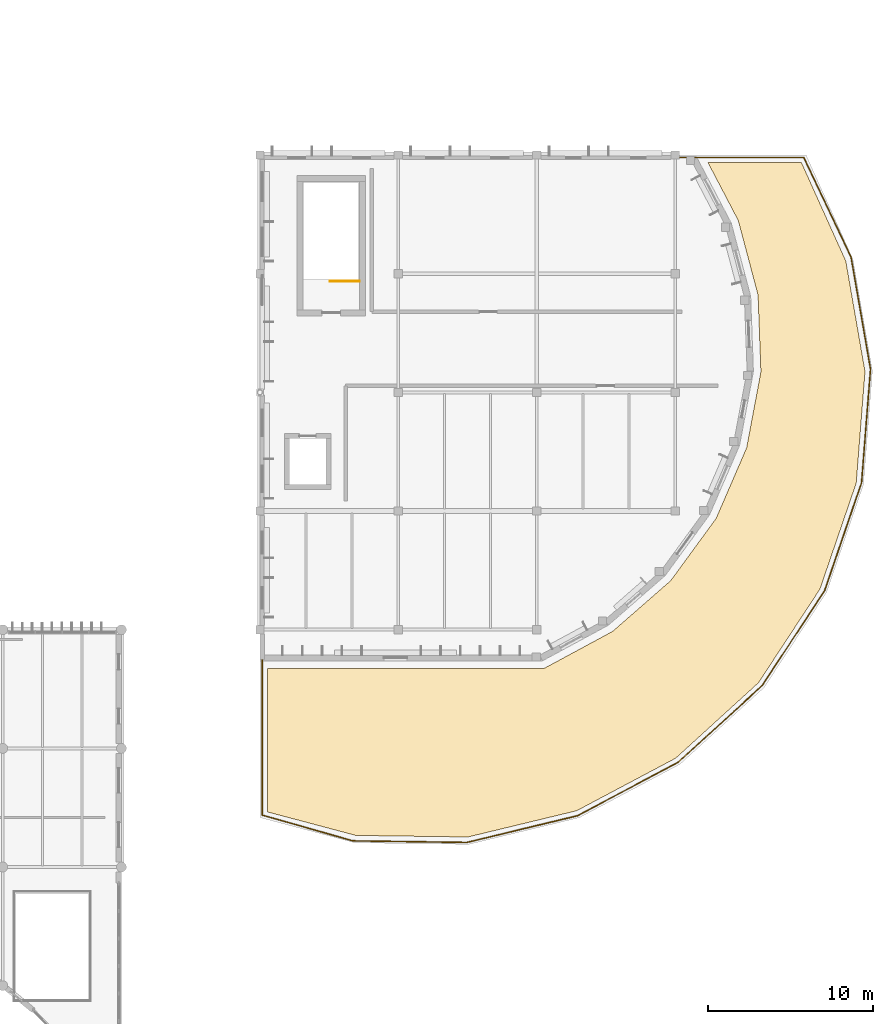
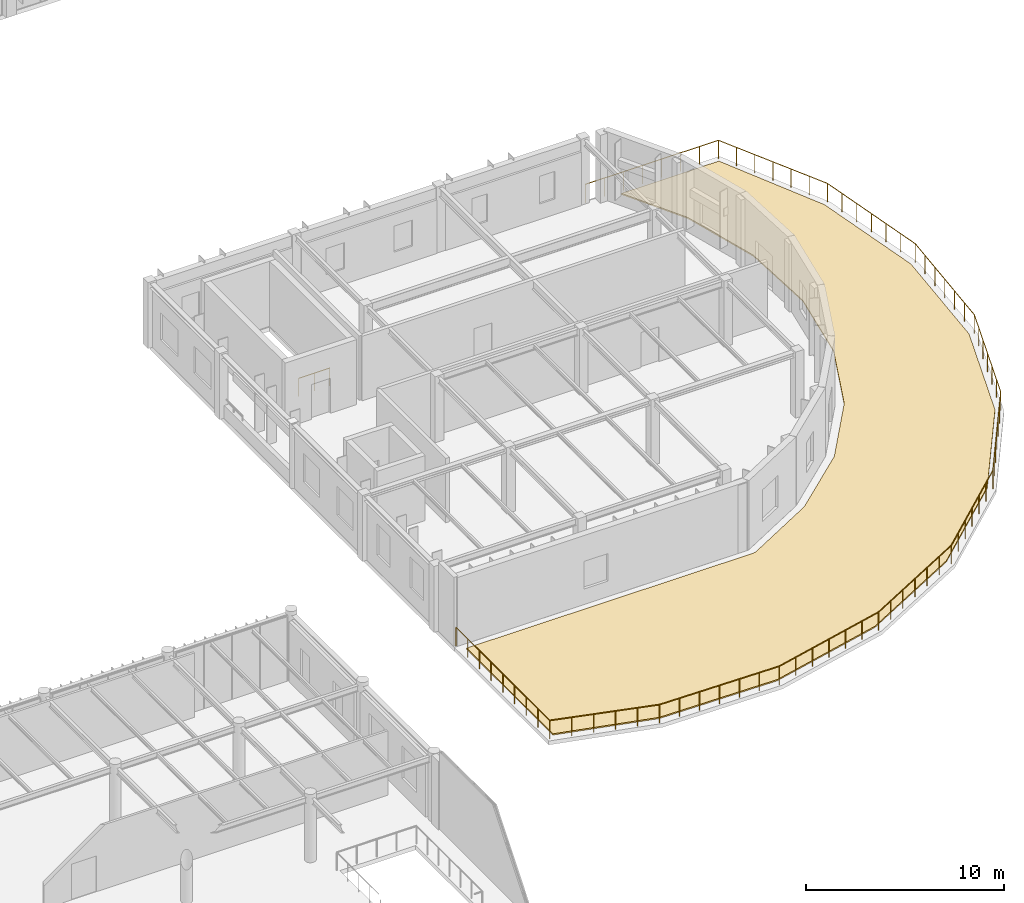
# One storey, part 103 of 104: 2 railings, 1 covering.
"""IFC4 building model written with IfcOpenShell, lengths in metres."""

from ifc_helpers import new_model, si_unit, direction, frame, origin, origin_2d, place, context, subcontext, project, spatial, polyline, circle, outline, extrude, material, layer, layer_set, material_profile, profile_set, type_object, element, save


model = new_model("IFC4")

# Units and contexts
model_context = context("Model", 3, precision=1e-05, world=origin(), true_north=direction((0.0, 1.0)))
body_context = subcontext(model_context, "Body", "Model", "MODEL_VIEW")
ifc_project = project(units=[si_unit("LENGTHUNIT", "METRE"), si_unit("AREAUNIT", "SQUARE_METRE"), si_unit("VOLUMEUNIT", "CUBIC_METRE"), si_unit("PLANEANGLEUNIT", "RADIAN"), si_unit("MASSUNIT", "GRAM", prefix="KILO")], contexts=[model_context])

# Site, building, storey
site_placement = place(None, origin())
site = spatial("IfcSite", under=ifc_project, at=site_placement, CompositionType="ELEMENT")
building_placement = place(site_placement, origin())
building = spatial("IfcBuilding", under=site, at=building_placement, Name="Tazoul Stagehouse", CompositionType="ELEMENT")
storey_placement = place(building_placement, frame((0.0, 0.0, 9.0)))
storey = spatial("IfcBuildingStorey", under=building, at=storey_placement, Name="L02", CompositionType="ELEMENT", Elevation=9.0)

# Railing
ifc_material_1 = material(Name="Brushed Stainless Steel 316L", Category="steel")
ifc_material_profile_1 = material_profile(ifc_material_1, circle(Radius=0.02392578125, at=origin_2d()), Name="SS RAIL D48")
ifc_profile_set_1 = profile_set([ifc_material_profile_1], Name="Brushed Stainless Steel 316L")
railing_type_1 = type_object("IfcRailingType", Name="Architectural Guardrail H1120", PredefinedType="GUARDRAIL", material=ifc_profile_set_1)
railing_1_placement = place(storey_placement, frame((131.449951171875, 51.35009765625, 0.0)))
element("IfcRailing", 1, at=railing_1_placement, inside=storey, type_object=railing_type_1, Name="L02 ST-07 top well guard 1", PredefinedType="GUARDRAIL", context=body_context, shape_type="SweptSolid", body=[
    extrude(circle(Radius=0.02392578125, at=origin_2d()), frame((0.0, 0.0, 1.09619140625), z_axis=(-1.0, 0.0, 0.0), x_axis=(0.0, -1.0, 0.0)), (0.0, 0.0, 1.0), 1.800048828125),
    extrude(circle(Radius=0.02099609375, at=origin_2d()), origin(), (0.0, 0.0, 1.0), 1.072021484375),
    extrude(circle(Radius=0.02099609375, at=origin_2d()), frame((-0.89990234375, 0.0, 0.0)), (0.0, 0.0, 1.0), 1.072021484375),
    extrude(circle(Radius=0.02099609375, at=origin_2d()), frame((-1.800048828125, 0.0, 0.0)), (0.0, 0.0, 1.0), 1.072021484375),
])

# Covering
ifc_material_2 = material(Name="Vegetated Acoustic Extensive Green-Roof Substrate", Category="earth")
ifc_layer = layer(ifc_material_2, 0.080078125, Name="Vegetated Acoustic Extensive Green-Roof Substrate")
ifc_layer_set = layer_set([ifc_layer], Name="Vegetated Acoustic Extensive Green-Roof Substrate")
covering_type = type_object("IfcCoveringType", Name="Irrigated Fescue Forecourt Lawn Turf 80", PredefinedType="FLOORING", material=ifc_layer_set)
covering_placement = place(storey_placement, origin())
element("IfcCovering", 2, at=covering_placement, inside=storey, type_object=covering_type, Name="L02 Curved Studio Drum Planted Roof Garden", PredefinedType="FLOORING", context=body_context, shape_type="SweptSolid", body=[
    extrude(outline(polyline([(125.85009765625, 27.845947265625), (142.517333984375, 27.845947265625), (142.572265625, 27.849365234375), (142.62646484375, 27.859375), (142.627197265625, 27.859619140625), (142.660400390625, 27.869384765625), (142.66064453125, 27.869384765625), (142.719482421875, 27.893798828125), (142.719970703125, 27.89404296875), (142.732666015625, 27.900634765625), (146.7578125, 30.07470703125), (146.757568359375, 30.074951171875), (146.77880859375, 30.0869140625), (146.810302734375, 30.10791015625), (146.840087890625, 30.1318359375), (150.28662109375, 33.140869140625), (150.30859375, 33.16162109375), (150.30908203125, 33.161865234375), (150.309326171875, 33.162109375), (150.3330078125, 33.187744140625), (150.3544921875, 33.215087890625), (153.051513671875, 36.91015625), (153.051513671875, 36.910400390625), (153.0712890625, 36.939208984375), (153.0908203125, 36.974609375), (153.091064453125, 36.97509765625), (153.101806640625, 36.997802734375), (154.916748046875, 41.197021484375), (154.9296875, 41.231201171875), (154.940185546875, 41.266357421875), (154.940185546875, 41.266845703125), (154.945068359375, 41.28759765625), (154.945068359375, 41.2880859375), (154.946044921875, 41.29345703125), (155.78955078125, 45.789794921875), (155.788818359375, 45.789794921875), (155.7939453125, 45.818115234375), (155.79736328125, 45.873046875), (155.79736328125, 45.87353515625), (155.797119140625, 45.89013671875), (155.62744140625, 50.461669921875), (155.626708984375, 50.461669921875), (155.624267578125, 50.50048828125), (155.6142578125, 50.5546875), (155.6142578125, 50.554931640625), (155.612548828125, 50.561279296875), (154.438232421875, 54.982666015625), (154.427734375, 55.016845703125), (154.41455078125, 55.050048828125), (154.4140625, 55.05078125), (154.401611328125, 55.076904296875), (152.583984375, 58.550048828125), (158.2548828125, 58.550048828125), (160.951171875, 52.566650390625), (162.11669921875, 45.87060546875), (161.58251953125, 39.0947265625), (159.381591796875, 32.6640625), (155.65234375, 26.981689453125), (150.628662109375, 22.40380859375), (144.625, 19.21728515625), (138.01806640625, 17.621826171875), (131.220703125, 17.7177734375), (125.85009765625, 19.14599609375), (125.85009765625, 27.845947265625)])), origin(), (0.0, 0.0, 1.0), 0.080078125),
])

# Railing
ifc_material_profile_2 = material_profile(ifc_material_1, circle(Radius=0.027099609375, at=origin_2d()), Name="SS RAIL D54")
ifc_profile_set_2 = profile_set([ifc_material_profile_2], Name="Brushed Stainless Steel 316L")
railing_type_2 = type_object("IfcRailingType", Name="Terrace Acoustic Glass-and-Steel Guard H1150", PredefinedType="GUARDRAIL", material=ifc_profile_set_2)
railing_2_placement = place(storey_placement, frame((125.550048828125, 28.39990234375, 0.0)))
element("IfcRailing", 3, at=railing_2_placement, inside=storey, type_object=railing_type_2, Name="L02 Studio Roof Garden Curved Perimeter Guard GRD-02", PredefinedType="GUARDRAIL", context=body_context, shape_type="SweptSolid", body=[
    extrude(circle(Radius=0.02392578125, at=origin_2d()), frame((0.0, 0.0, 1.1259765625), z_axis=(0.0, -1.0, 0.0), x_axis=(1.0, 0.0, 0.0)), (0.0, 0.0, 1.0), 9.449951171875),
    extrude(circle(Radius=0.02392578125, at=origin_2d()), frame((0.0, -9.449951171875, 1.1259765625), z_axis=(0.961844565298, -0.273596476963, 0.0), x_axis=(0.273596476963, 0.961844565298, 0.0)), (0.0, 0.0, 1.0), 5.70654296875),
    extrude(circle(Radius=0.02392578125, at=origin_2d()), frame((5.48876953125, -11.01123046875, 1.1259765625), z_axis=(0.999900140203, -0.014131865454, 0.0), x_axis=(0.014131865454, 0.999900140203, 0.0)), (0.0, 0.0, 1.0), 6.910400390625),
    extrude(circle(Radius=0.02392578125, at=origin_2d()), frame((12.3984375, -11.10888671875, 1.1259765625), z_axis=(0.972060530269, 0.234730325038, 0.0), x_axis=(-0.234730325038, 0.972060530269, 0.0)), (0.0, 0.0, 1.0), 6.910400390625),
    extrude(circle(Radius=0.02392578125, at=origin_2d()), frame((19.11572265625, -9.48681640625, 1.1259765625), z_axis=(0.883295877985, 0.468815946759, 0.0), x_axis=(-0.468815946759, 0.883295877985, 0.0)), (0.0, 0.0, 1.0), 6.910400390625),
    extrude(circle(Radius=0.02392578125, at=origin_2d()), frame((25.2197265625, -6.2470703125, 1.1259765625), z_axis=(0.739132233342, 0.673560347434, 0.0), x_axis=(-0.673560347434, 0.739132233342, 0.0)), (0.0, 0.0, 1.0), 6.910400390625),
    extrude(circle(Radius=0.02392578125, at=origin_2d()), frame((30.327392578125, -1.592529296875, 1.1259765625), z_axis=(0.548668788702, 0.836039807846, 0.0), x_axis=(-0.836039807846, 0.548668788702, 0.0)), (0.0, 0.0, 1.0), 6.910400390625),
    extrude(circle(Radius=0.02392578125, at=origin_2d()), frame((34.118896484375, 4.184814453125, 1.1259765625), z_axis=(0.323795877985, 0.946126962622, 0.0), x_axis=(-0.946126962622, 0.323795877985, 0.0)), (0.0, 0.0, 1.0), 6.910400390625),
    extrude(circle(Radius=0.02392578125, at=origin_2d()), frame((36.3564453125, 10.722900390625, 1.1259765625), z_axis=(0.078609163402, 0.996905511786, 0.0), x_axis=(-0.996905511786, 0.078609163402, 0.0)), (0.0, 0.0, 1.0), 6.910400390625),
    extrude(circle(Radius=0.02392578125, at=origin_2d()), frame((36.899658203125, 17.61181640625, 1.1259765625), z_axis=(-0.171493255047, 0.98518529398, 0.0), x_axis=(-0.98518529398, -0.171493255047, 0.0)), (0.0, 0.0, 1.0), 6.91015625),
    extrude(circle(Radius=0.02392578125, at=origin_2d()), frame((35.714599609375, 24.419677734375, 1.1259765625), z_axis=(-0.429087396326, 0.903262977385, 0.0), x_axis=(-0.903262977385, -0.429087396326, 0.0)), (0.0, 0.0, 1.0), 6.67626953125),
    extrude(circle(Radius=0.02392578125, at=origin_2d()), frame((32.849853515625, 30.4501953125, 1.1259765625), z_axis=(-1.0, 0.0, 0.0), x_axis=(0.0, -1.0, 0.0)), (0.0, 0.0, 1.0), 7.75),
    extrude(circle(Radius=0.02099609375, at=origin_2d()), origin(), (0.0, 0.0, 1.0), 1.101806640625),
    extrude(circle(Radius=0.02099609375, at=origin_2d()), frame((0.0, -1.18115234375, 0.0)), (0.0, 0.0, 1.0), 1.101806640625),
    extrude(circle(Radius=0.02099609375, at=origin_2d()), frame((0.0, -2.362548828125, 0.0)), (0.0, 0.0, 1.0), 1.101806640625),
    extrude(circle(Radius=0.02099609375, at=origin_2d()), frame((0.0, -3.543701171875, 0.0)), (0.0, 0.0, 1.0), 1.101806640625),
    extrude(circle(Radius=0.02099609375, at=origin_2d()), frame((0.0, -4.72509765625, 0.0)), (0.0, 0.0, 1.0), 1.101806640625),
    extrude(circle(Radius=0.02099609375, at=origin_2d()), frame((0.0, -5.90625, 0.0)), (0.0, 0.0, 1.0), 1.101806640625),
    extrude(circle(Radius=0.02099609375, at=origin_2d()), frame((0.0, -7.08740234375, 0.0)), (0.0, 0.0, 1.0), 1.101806640625),
    extrude(circle(Radius=0.02099609375, at=origin_2d()), frame((0.0, -8.268798828125, 0.0)), (0.0, 0.0, 1.0), 1.101806640625),
    extrude(circle(Radius=0.02099609375, at=origin_2d()), frame((0.0, -9.449951171875, 0.0)), (0.0, 0.0, 1.0), 1.101806640625),
    extrude(circle(Radius=0.02099609375, at=origin_2d()), frame((1.09765625, -9.76220703125, 0.0)), (0.0, 0.0, 1.0), 1.101806640625),
    extrude(circle(Radius=0.02099609375, at=origin_2d()), frame((2.195556640625, -10.074462890625, 0.0)), (0.0, 0.0, 1.0), 1.101806640625),
    extrude(circle(Radius=0.02099609375, at=origin_2d()), frame((3.293212890625, -10.38671875, 0.0)), (0.0, 0.0, 1.0), 1.101806640625),
    extrude(circle(Radius=0.02099609375, at=origin_2d()), frame((4.39111328125, -10.698974609375, 0.0)), (0.0, 0.0, 1.0), 1.101806640625),
    extrude(circle(Radius=0.02099609375, at=origin_2d()), frame((5.48876953125, -11.01123046875, 0.0)), (0.0, 0.0, 1.0), 1.101806640625),
    extrude(circle(Radius=0.02099609375, at=origin_2d()), frame((6.640380859375, -11.027587890625, 0.0)), (0.0, 0.0, 1.0), 1.101806640625),
    extrude(circle(Radius=0.02099609375, at=origin_2d()), frame((7.7919921875, -11.043701171875, 0.0)), (0.0, 0.0, 1.0), 1.101806640625),
    extrude(circle(Radius=0.02099609375, at=origin_2d()), frame((8.943603515625, -11.06005859375, 0.0)), (0.0, 0.0, 1.0), 1.101806640625),
    extrude(circle(Radius=0.02099609375, at=origin_2d()), frame((10.09521484375, -11.076416015625, 0.0)), (0.0, 0.0, 1.0), 1.101806640625),
    extrude(circle(Radius=0.02099609375, at=origin_2d()), frame((11.246826171875, -11.092529296875, 0.0)), (0.0, 0.0, 1.0), 1.101806640625),
    extrude(circle(Radius=0.02099609375, at=origin_2d()), frame((12.3984375, -11.10888671875, 0.0)), (0.0, 0.0, 1.0), 1.101806640625),
    extrude(circle(Radius=0.02099609375, at=origin_2d()), frame((13.51806640625, -10.838623046875, 0.0)), (0.0, 0.0, 1.0), 1.101806640625),
    extrude(circle(Radius=0.02099609375, at=origin_2d()), frame((14.637451171875, -10.568115234375, 0.0)), (0.0, 0.0, 1.0), 1.101806640625),
    extrude(circle(Radius=0.02099609375, at=origin_2d()), frame((15.757080078125, -10.2978515625, 0.0)), (0.0, 0.0, 1.0), 1.101806640625),
    extrude(circle(Radius=0.02099609375, at=origin_2d()), frame((16.876708984375, -10.027587890625, 0.0)), (0.0, 0.0, 1.0), 1.101806640625),
    extrude(circle(Radius=0.02099609375, at=origin_2d()), frame((17.99609375, -9.757080078125, 0.0)), (0.0, 0.0, 1.0), 1.101806640625),
    extrude(circle(Radius=0.02099609375, at=origin_2d()), frame((19.11572265625, -9.48681640625, 0.0)), (0.0, 0.0, 1.0), 1.101806640625),
    extrude(circle(Radius=0.02099609375, at=origin_2d()), frame((20.133056640625, -8.94677734375, 0.0)), (0.0, 0.0, 1.0), 1.101806640625),
    extrude(circle(Radius=0.02099609375, at=origin_2d()), frame((21.150390625, -8.406982421875, 0.0)), (0.0, 0.0, 1.0), 1.101806640625),
    extrude(circle(Radius=0.02099609375, at=origin_2d()), frame((22.167724609375, -7.866943359375, 0.0)), (0.0, 0.0, 1.0), 1.101806640625),
    extrude(circle(Radius=0.02099609375, at=origin_2d()), frame((23.18505859375, -7.326904296875, 0.0)), (0.0, 0.0, 1.0), 1.101806640625),
    extrude(circle(Radius=0.02099609375, at=origin_2d()), frame((24.202392578125, -6.787109375, 0.0)), (0.0, 0.0, 1.0), 1.101806640625),
    extrude(circle(Radius=0.02099609375, at=origin_2d()), frame((25.2197265625, -6.2470703125, 0.0)), (0.0, 0.0, 1.0), 1.101806640625),
    extrude(circle(Radius=0.02099609375, at=origin_2d()), frame((26.071044921875, -5.47119140625, 0.0)), (0.0, 0.0, 1.0), 1.101806640625),
    extrude(circle(Radius=0.02099609375, at=origin_2d()), frame((26.92236328125, -4.695556640625, 0.0)), (0.0, 0.0, 1.0), 1.101806640625),
    extrude(circle(Radius=0.02099609375, at=origin_2d()), frame((27.7734375, -3.919921875, 0.0)), (0.0, 0.0, 1.0), 1.101806640625),
    extrude(circle(Radius=0.02099609375, at=origin_2d()), frame((28.624755859375, -3.14404296875, 0.0)), (0.0, 0.0, 1.0), 1.101806640625),
    extrude(circle(Radius=0.02099609375, at=origin_2d()), frame((29.47607421875, -2.3681640625, 0.0)), (0.0, 0.0, 1.0), 1.101806640625),
    extrude(circle(Radius=0.02099609375, at=origin_2d()), frame((30.327392578125, -1.592529296875, 0.0)), (0.0, 0.0, 1.0), 1.101806640625),
    extrude(circle(Radius=0.02099609375, at=origin_2d()), frame((30.959228515625, -0.629638671875, 0.0)), (0.0, 0.0, 1.0), 1.101806640625),
    extrude(circle(Radius=0.02099609375, at=origin_2d()), frame((31.59130859375, 0.333251953125, 0.0)), (0.0, 0.0, 1.0), 1.101806640625),
    extrude(circle(Radius=0.02099609375, at=origin_2d()), frame((32.22314453125, 1.296142578125, 0.0)), (0.0, 0.0, 1.0), 1.101806640625),
    extrude(circle(Radius=0.02099609375, at=origin_2d()), frame((32.85498046875, 2.259033203125, 0.0)), (0.0, 0.0, 1.0), 1.101806640625),
    extrude(circle(Radius=0.02099609375, at=origin_2d()), frame((33.487060546875, 3.221923828125, 0.0)), (0.0, 0.0, 1.0), 1.101806640625),
    extrude(circle(Radius=0.02099609375, at=origin_2d()), frame((34.118896484375, 4.184814453125, 0.0)), (0.0, 0.0, 1.0), 1.101806640625),
    extrude(circle(Radius=0.02099609375, at=origin_2d()), frame((34.49169921875, 5.2744140625, 0.0)), (0.0, 0.0, 1.0), 1.101806640625),
    extrude(circle(Radius=0.02099609375, at=origin_2d()), frame((34.86474609375, 6.3642578125, 0.0)), (0.0, 0.0, 1.0), 1.101806640625),
    extrude(circle(Radius=0.02099609375, at=origin_2d()), frame((35.23779296875, 7.453857421875, 0.0)), (0.0, 0.0, 1.0), 1.101806640625),
    extrude(circle(Radius=0.02099609375, at=origin_2d()), frame((35.610595703125, 8.54345703125, 0.0)), (0.0, 0.0, 1.0), 1.101806640625),
    extrude(circle(Radius=0.02099609375, at=origin_2d()), frame((35.9833984375, 9.63330078125, 0.0)), (0.0, 0.0, 1.0), 1.101806640625),
    extrude(circle(Radius=0.02099609375, at=origin_2d()), frame((36.3564453125, 10.722900390625, 0.0)), (0.0, 0.0, 1.0), 1.101806640625),
    extrude(circle(Radius=0.02099609375, at=origin_2d()), frame((36.447021484375, 11.87109375, 0.0)), (0.0, 0.0, 1.0), 1.101806640625),
    extrude(circle(Radius=0.02099609375, at=origin_2d()), frame((36.53759765625, 13.019287109375, 0.0)), (0.0, 0.0, 1.0), 1.101806640625),
    extrude(circle(Radius=0.02099609375, at=origin_2d()), frame((36.6279296875, 14.16748046875, 0.0)), (0.0, 0.0, 1.0), 1.101806640625),
    extrude(circle(Radius=0.02099609375, at=origin_2d()), frame((36.718505859375, 15.3154296875, 0.0)), (0.0, 0.0, 1.0), 1.101806640625),
    extrude(circle(Radius=0.02099609375, at=origin_2d()), frame((36.80908203125, 16.463623046875, 0.0)), (0.0, 0.0, 1.0), 1.101806640625),
    extrude(circle(Radius=0.02099609375, at=origin_2d()), frame((36.899658203125, 17.61181640625, 0.0)), (0.0, 0.0, 1.0), 1.101806640625),
    extrude(circle(Radius=0.02099609375, at=origin_2d()), frame((36.7021484375, 18.74658203125, 0.0)), (0.0, 0.0, 1.0), 1.101806640625),
    extrude(circle(Radius=0.02099609375, at=origin_2d()), frame((36.504638671875, 19.881103515625, 0.0)), (0.0, 0.0, 1.0), 1.101806640625),
    extrude(circle(Radius=0.02099609375, at=origin_2d()), frame((36.30712890625, 21.015625, 0.0)), (0.0, 0.0, 1.0), 1.101806640625),
    extrude(circle(Radius=0.02099609375, at=origin_2d()), frame((36.109619140625, 22.150390625, 0.0)), (0.0, 0.0, 1.0), 1.101806640625),
    extrude(circle(Radius=0.02099609375, at=origin_2d()), frame((35.912109375, 23.28515625, 0.0)), (0.0, 0.0, 1.0), 1.101806640625),
    extrude(circle(Radius=0.02099609375, at=origin_2d()), frame((35.714599609375, 24.419677734375, 0.0)), (0.0, 0.0, 1.0), 1.101806640625),
    extrude(circle(Radius=0.02099609375, at=origin_2d()), frame((35.237060546875, 25.4248046875, 0.0)), (0.0, 0.0, 1.0), 1.101806640625),
    extrude(circle(Radius=0.02099609375, at=origin_2d()), frame((34.759765625, 26.429931640625, 0.0)), (0.0, 0.0, 1.0), 1.101806640625),
    extrude(circle(Radius=0.02099609375, at=origin_2d()), frame((34.2822265625, 27.43505859375, 0.0)), (0.0, 0.0, 1.0), 1.101806640625),
    extrude(circle(Radius=0.02099609375, at=origin_2d()), frame((33.8046875, 28.43994140625, 0.0)), (0.0, 0.0, 1.0), 1.101806640625),
    extrude(circle(Radius=0.02099609375, at=origin_2d()), frame((33.327392578125, 29.445068359375, 0.0)), (0.0, 0.0, 1.0), 1.101806640625),
    extrude(circle(Radius=0.02099609375, at=origin_2d()), frame((32.849853515625, 30.4501953125, 0.0)), (0.0, 0.0, 1.0), 1.101806640625),
    extrude(circle(Radius=0.02099609375, at=origin_2d()), frame((31.74267578125, 30.4501953125, 0.0)), (0.0, 0.0, 1.0), 1.101806640625),
    extrude(circle(Radius=0.02099609375, at=origin_2d()), frame((30.635498046875, 30.4501953125, 0.0)), (0.0, 0.0, 1.0), 1.101806640625),
    extrude(circle(Radius=0.02099609375, at=origin_2d()), frame((29.5283203125, 30.4501953125, 0.0)), (0.0, 0.0, 1.0), 1.101806640625),
    extrude(circle(Radius=0.02099609375, at=origin_2d()), frame((28.42138671875, 30.4501953125, 0.0)), (0.0, 0.0, 1.0), 1.101806640625),
    extrude(circle(Radius=0.02099609375, at=origin_2d()), frame((27.314208984375, 30.4501953125, 0.0)), (0.0, 0.0, 1.0), 1.101806640625),
    extrude(circle(Radius=0.02099609375, at=origin_2d()), frame((26.20703125, 30.4501953125, 0.0)), (0.0, 0.0, 1.0), 1.101806640625),
    extrude(circle(Radius=0.02099609375, at=origin_2d()), frame((25.099853515625, 30.4501953125, 0.0)), (0.0, 0.0, 1.0), 1.101806640625),
])

save(model, "model.ifc")
